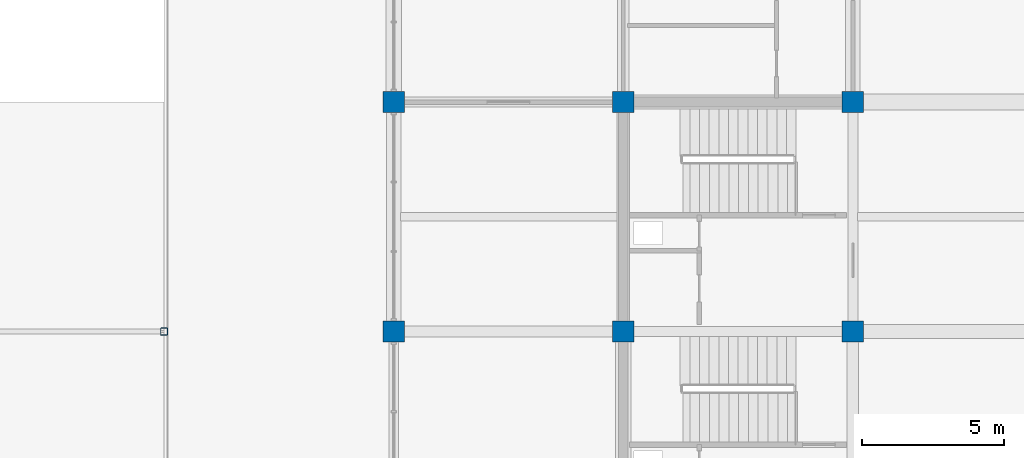
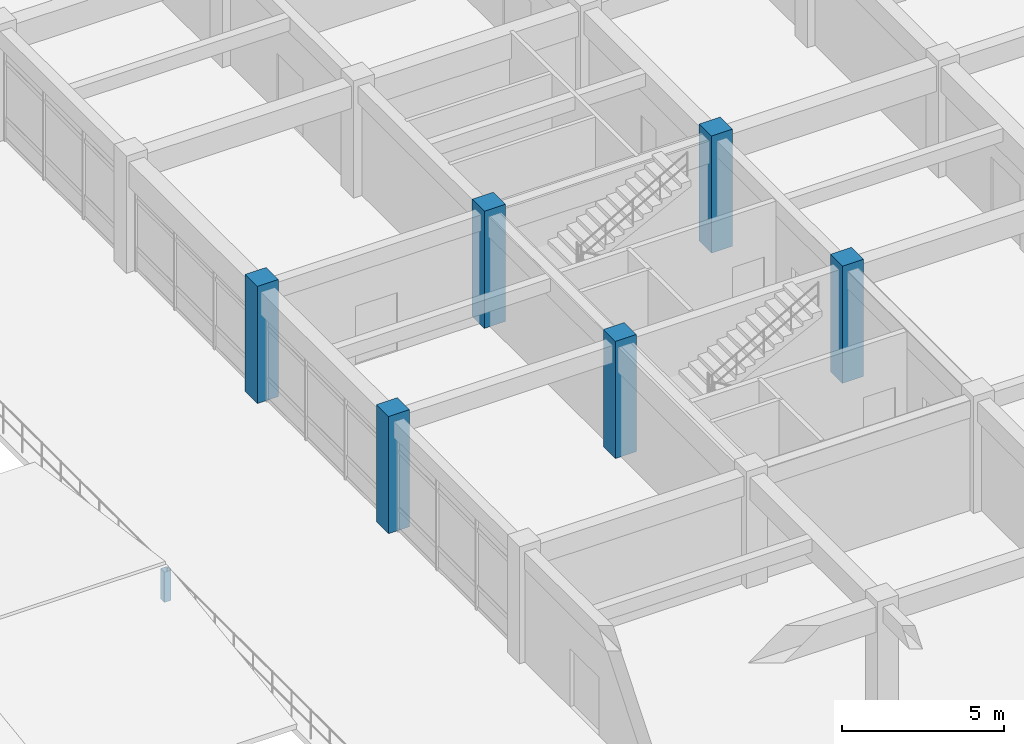
# One storey, part 4 of 70: 7 columns.
"""IFC4 building model written with IfcOpenShell, lengths in metres."""

from ifc_helpers import new_model, si_unit, direction, frame, origin, origin_2d, place, context, subcontext, project, spatial, rectangle, hollow_rectangle, extrude, material, material_profile, profile_set, type_object, element, save


model = new_model("IFC4")

# Units and contexts
model_context = context("Model", 3, precision=1e-05, world=origin(), true_north=direction((0.0, 1.0)))
body_context = subcontext(model_context, "Body", "Model", "MODEL_VIEW")
ifc_project = project(units=[si_unit("LENGTHUNIT", "METRE"), si_unit("AREAUNIT", "SQUARE_METRE"), si_unit("VOLUMEUNIT", "CUBIC_METRE"), si_unit("PLANEANGLEUNIT", "RADIAN"), si_unit("MASSUNIT", "GRAM", prefix="KILO")], contexts=[model_context])

# Site, building, storey
site_placement = place(None, origin())
site = spatial("IfcSite", under=ifc_project, at=site_placement, CompositionType="ELEMENT")
building_placement = place(site_placement, origin())
building = spatial("IfcBuilding", under=site, at=building_placement, Name="Vaudrelin Polytechnic", CompositionType="ELEMENT")
storey_placement = place(building_placement, frame((0.0, 0.0, 14.110107421875)))
storey = spatial("IfcBuildingStorey", under=building, at=storey_placement, Name="L03", CompositionType="ELEMENT", Elevation=14.110107421875)

# Columns
ifc_material_1 = material(Name="Steel CSA G40.21 350W", Category="steel")
ifc_material_profile_1 = material_profile(ifc_material_1, hollow_rectangle(XDim=0.25390625, YDim=0.25390625, WallThickness=0.0126953125, InnerFilletRadius=0.0126953125, OuterFilletRadius=0.025390625, at=origin_2d()), Name="HSS254x254x12.7")
ifc_profile_set_1 = profile_set([ifc_material_profile_1], Name="Steel CSA G40.21 350W")
column_type_1 = type_object("IfcColumnType", Name="COL-C-HSS254", PredefinedType="COLUMN", material=ifc_profile_set_1)
column_placement = place(storey_placement, frame((129.60009765625, 40.5, 0.0), z_axis=(0.0, 0.0, 1.0), x_axis=(1.0, 0.0, 0.0)))
element("IfcColumn", 1, at=column_placement, inside=storey, type_object=column_type_1, Name="Winter-garden ridge king-post 16", PredefinedType="COLUMN", context=body_context, shape_type="SweptSolid", body=[
    extrude(hollow_rectangle(XDim=0.25390625, YDim=0.25390625, WallThickness=0.0126953125, InnerFilletRadius=0.0126953125, OuterFilletRadius=0.025390625, at=origin_2d()), origin(), (0.0, 0.0, 1.0), 1.13818359375),
])
ifc_material_2 = material(Name="Concrete 50 MPa", Category="concrete")
ifc_material_profile_2 = material_profile(ifc_material_2, rectangle(XDim=0.75, YDim=0.75, at=origin_2d()), Name="RC750x750")
ifc_profile_set_2 = profile_set([ifc_material_profile_2], Name="Concrete 50 MPa")
column_type_2 = type_object("IfcColumnType", Name="COL-C-RC750", PredefinedType="COLUMN", material=ifc_profile_set_2)
for number, where, z_axis, x_axis, name in (
    (2, (137.699951171875, 40.5, 0.0), (0.0, 0.0, 1.0), (1.0, 0.0, 0.0), "Column L03 18-6"),
    (3, (137.699951171875, 48.60009765625, 0.0), (0.0, 0.0, 1.0), (1.0, 0.0, 0.0), "Column L03 18-7"),
    (4, (145.800048828125, 40.5, 0.0), (0.0, 0.0, 1.0), (1.0, 0.0, 0.0), "Column L03 19-6"),
    (5, (145.800048828125, 48.60009765625, 0.0), (0.0, 0.0, 1.0), (1.0, 0.0, 0.0), "Column L03 19-7"),
    (6, (153.89990234375, 40.5, 0.0), (0.0, 0.0, 1.0), (1.0, 0.0, 0.0), "Column L03 20-6"),
    (7, (153.89990234375, 48.60009765625, 0.0), (0.0, 0.0, 1.0), (1.0, 0.0, 0.0), "Column L03 20-7"),
):
    element("IfcColumn", number, at=place(storey_placement, frame(where, z_axis=z_axis, x_axis=x_axis)), inside=storey, type_object=column_type_2, Name=name, PredefinedType="COLUMN", context=body_context, shape_type="SweptSolid", body=[
        extrude(rectangle(XDim=0.75, YDim=0.75, at=origin_2d()), origin(), (0.0, 0.0, 1.0), 4.419921875),
    ])

save(model, "model.ifc")
